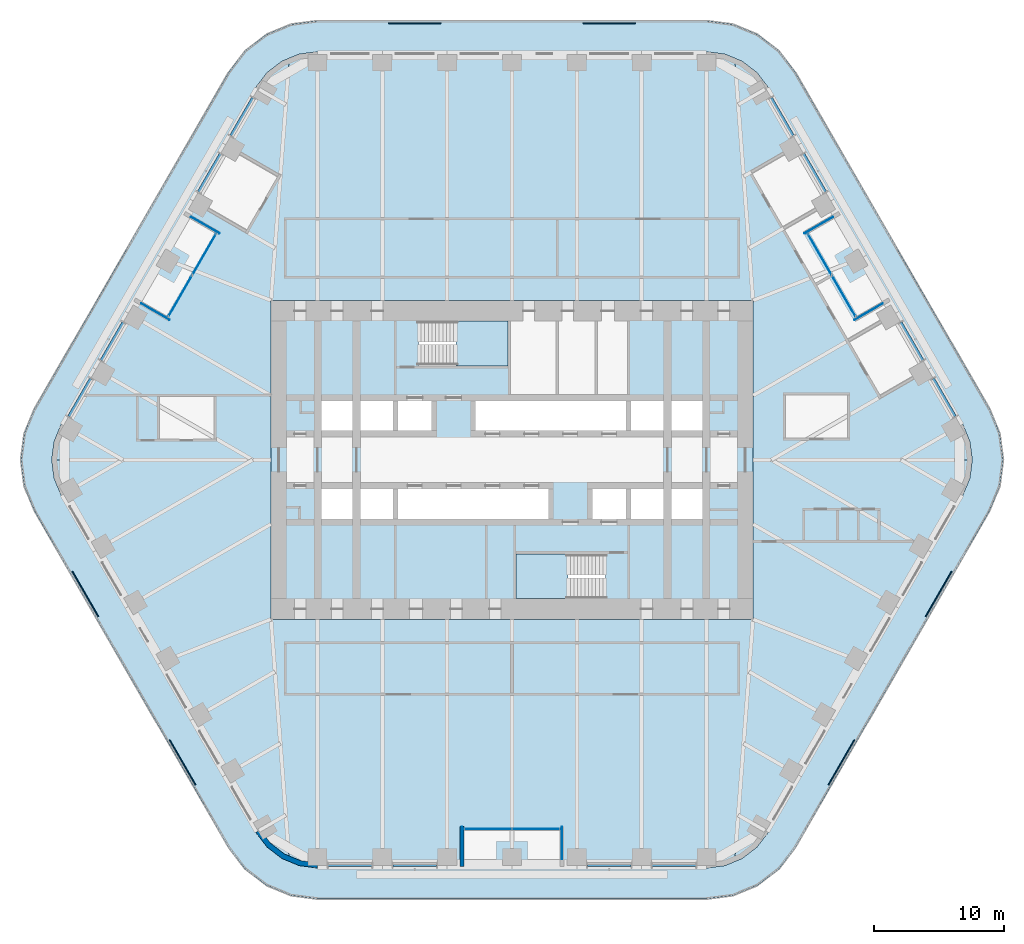
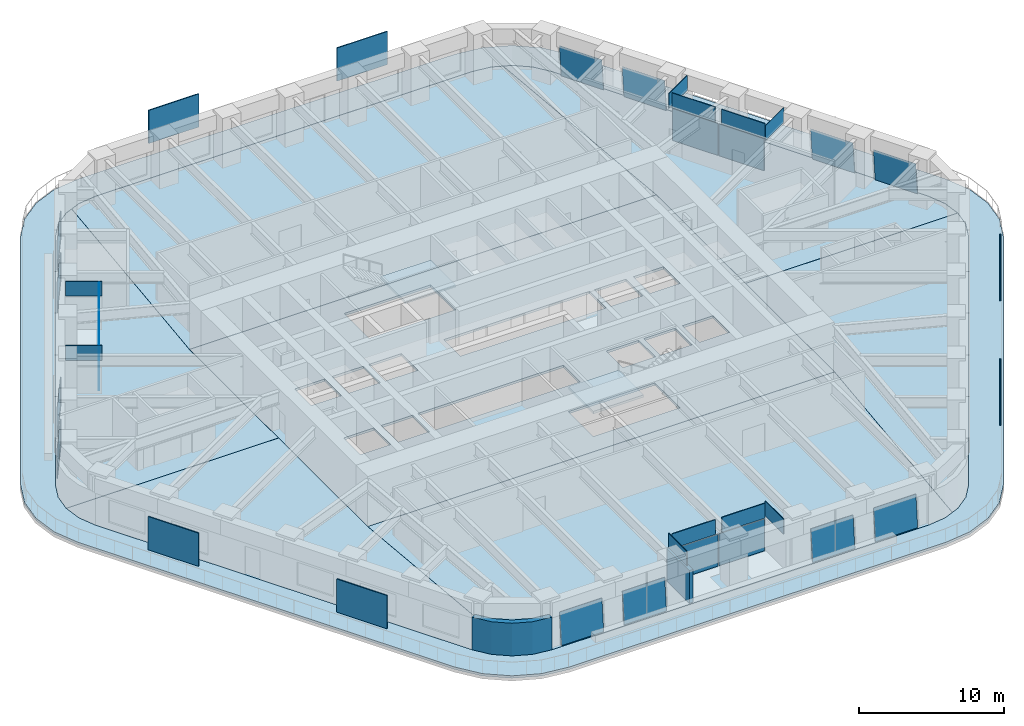
# One storey, part 16 of 24: 36 plates, 10 slabs, 2 walls, 17 elements without a shape of their own.
"""IFC4 building model written with IfcOpenShell, lengths in metres."""

import ifcopenshell
import ifcopenshell.guid

model = None  # the IFC model being written
_history = None  # IfcOwnerHistory: only IFC2X3 demands one
_inside = {}  # id of a spatial element -> (the spatial element, [elements in it])
_under = {}  # id of a project, library or spatial element -> (it, [spatial elements below it])
_declared = {}  # id of a project -> (the project, [libraries it declares])
_typed = {}  # id of a type object -> (the type object, [elements of that type])
_made_of = {}  # id of a material, layer set ... -> (it, [elements and type objects made of it])


def new_model(schema):
    """Start an empty IFC model of exactly this schema.

    Asked for "IFC4X3", IfcOpenShell would pick the latest addendum, in which some entities
    have other attributes; the version numbers below select the first issue.
    IFC2X3 requires an IfcOwnerHistory on every rooted entity: one is made here for all.
    """
    global model, _history
    if schema == "IFC4X3":
        model = ifcopenshell.file(schema_version=(4, 3, 0, 0))
    else:
        model = ifcopenshell.file(schema=schema)
    _inside.clear()
    _under.clear()
    _declared.clear()
    _typed.clear()
    _made_of.clear()
    _history = None
    if model.schema == "IFC2X3":
        org = make("IfcOrganization", Name="unknown")
        user = make(
            "IfcPersonAndOrganization",
            ThePerson=make("IfcPerson", FamilyName="unknown"),
            TheOrganization=org,
        )
        app = make(
            "IfcApplication",
            ApplicationDeveloper=org,
            Version="unknown",
            ApplicationFullName="unknown",
            ApplicationIdentifier="unknown",
        )
        _history = make(
            "IfcOwnerHistory",
            OwningUser=user,
            OwningApplication=app,
            ChangeAction="ADDED",
            CreationDate=0,
        )
    return model


def make(cls, **values):
    """One entity of the class cls with the attributes given. An attribute that is None is left unset."""
    return model.create_entity(
        cls, **{name: value for name, value in values.items() if value is not None}
    )


def rooted(cls, **values):
    """An entity with a GlobalId (a new one), such as an element, a storey or a relation."""
    return make(cls, GlobalId=ifcopenshell.guid.new(), OwnerHistory=_history, **values)


def si_unit(unit_type, name, prefix=None):
    """IfcSIUnit, for example si_unit("LENGTHUNIT", "METRE", prefix="MILLI")."""
    return make("IfcSIUnit", UnitType=unit_type, Prefix=prefix, Name=name)


def assignment(units):
    """IfcUnitAssignment: the units of a project."""
    return None if units is None else make("IfcUnitAssignment", Units=units)


def point(xyz):
    """IfcCartesianPoint."""
    return None if xyz is None else make("IfcCartesianPoint", Coordinates=xyz)


def direction(xyz):
    """IfcDirection."""
    return None if xyz is None else make("IfcDirection", DirectionRatios=xyz)


def frame(location, z_axis=None, x_axis=None):
    """IfcAxis2Placement3D, a coordinate frame: its origin and axes. An axis left out is left unset."""
    return make(
        "IfcAxis2Placement3D",
        Location=point(location),
        Axis=direction(z_axis),
        RefDirection=direction(x_axis),
    )


def frame_2d(location, x_axis=None):
    """IfcAxis2Placement2D, a coordinate frame in the plane: its origin and x axis."""
    return make(
        "IfcAxis2Placement2D", Location=point(location), RefDirection=direction(x_axis)
    )


def origin():
    """The frame at (0, 0, 0) with its axes left unset."""
    return frame((0.0, 0.0, 0.0))


def origin_2d():
    """The frame at (0, 0) in the plane with its x axis left unset."""
    return frame_2d((0.0, 0.0))


def place(relative_to, where):
    """IfcLocalPlacement: puts the frame where relative to a parent placement (None: the world)."""
    return make(
        "IfcLocalPlacement", PlacementRelTo=relative_to, RelativePlacement=where
    )


def context(
    kind, dimensions, precision=None, world=None, true_north=None, identifier=None
):
    """IfcGeometricRepresentationContext, for example the 3D "Model" context."""
    return make(
        "IfcGeometricRepresentationContext",
        ContextIdentifier=identifier,
        ContextType=kind,
        CoordinateSpaceDimension=dimensions,
        Precision=precision,
        WorldCoordinateSystem=world,
        TrueNorth=true_north,
    )


def subcontext(parent, identifier, kind, view, scale=None):
    """IfcGeometricRepresentationSubContext, for example "Body" below "Model"."""
    return make(
        "IfcGeometricRepresentationSubContext",
        ContextIdentifier=identifier,
        ContextType=kind,
        ParentContext=parent,
        TargetScale=scale,
        TargetView=view,
    )


def project(units=None, contexts=None):
    """IfcProject with its units and contexts."""
    return rooted(
        "IfcProject",
        Name="project",
        RepresentationContexts=contexts,
        UnitsInContext=assignment(units),
    )


def spatial(cls, under=None, at=None, **own):
    """A site, building, storey or space (cls), placed at a placement, below another one or the project."""
    s = rooted(cls, ObjectPlacement=at, **own)
    if under is not None:
        _under.setdefault(under.id(), (under, []))[1].append(s)
    return s


def polyline(points):
    """IfcPolyline through the points."""
    return make("IfcPolyline", Points=[point(p) for p in points])


def profile(cls, at=None, kind="AREA", **sizes):
    """A parametric profile (cls). Its sizes go by their IFC names, for example OverallWidth=200.0."""
    return make(cls, ProfileType=kind, Position=at, **sizes)


def rectangle(**sizes):
    """IfcRectangleProfileDef."""
    return profile("IfcRectangleProfileDef", **sizes)


def outline(outer, holes=None, kind="AREA"):
    """IfcArbitraryClosedProfileDef: a profile drawn as a closed curve; with holes, ...WithVoids."""
    if holes is None:
        return make("IfcArbitraryClosedProfileDef", ProfileType=kind, OuterCurve=outer)
    return make(
        "IfcArbitraryProfileDefWithVoids",
        ProfileType=kind,
        OuterCurve=outer,
        InnerCurves=holes,
    )


def extrude(swept, where, along, depth):
    """IfcExtrudedAreaSolid: the profile swept, set in the frame where, extruded along a direction by depth."""
    return make(
        "IfcExtrudedAreaSolid",
        SweptArea=swept,
        Position=where,
        ExtrudedDirection=direction(along),
        Depth=depth,
    )


def shape(context_of_items, identifier, shape_type, items):
    """IfcShapeRepresentation: the items that make up one representation, for example the "Body"."""
    return make(
        "IfcShapeRepresentation",
        ContextOfItems=context_of_items,
        RepresentationIdentifier=identifier,
        RepresentationType=shape_type,
        Items=items,
    )


def material(Name=None, Category=None):
    """IfcMaterial."""
    return make("IfcMaterial", Name=Name, Category=Category)


def layer(
    of_material, thickness, ventilated=None, Name=None, Category=None, Priority=None
):
    """IfcMaterialLayer: one layer of a wall or slab, of a material (None: an air gap)."""
    return make(
        "IfcMaterialLayer",
        Material=of_material,
        LayerThickness=thickness,
        IsVentilated=ventilated,
        Name=Name,
        Category=Category,
        Priority=Priority,
    )


def layer_set(layers, Name=None):
    """IfcMaterialLayerSet."""
    return make("IfcMaterialLayerSet", MaterialLayers=layers, LayerSetName=Name)


def made_of(thing, what):
    """Note that an element or type object is made of a material, layer set ...; save() writes the relation."""
    if what is not None:
        _made_of.setdefault(what.id(), (what, []))[1].append(thing)
    return thing


def type_object(cls, material=None, **own):
    """A type object (cls), such as IfcWallType, which elements share."""
    return made_of(rooted(cls, **own), material)


def element(
    cls,
    number,
    at=None,
    inside=None,
    cuts=None,
    type_object=None,
    material=None,
    context=None,
    identifier="Body",
    shape_type=None,
    held_by="IfcProductDefinitionShape",
    body=None,
    shapes=None,
    **own,
):
    """One element of the class cls, such as IfcWall. Its Tag is "e" and its number.

    at: its placement. inside: the storey or other place that contains it. cuts: it is an
    opening in that element (IfcRelVoidsElement). A single representation is given by context,
    identifier, shape_type and body (its items); several are given by shapes. held_by: the class
    of the entity that holds the representations. save() writes the other relations.
    """
    e = rooted(cls, Tag="e%d" % number, ObjectPlacement=at, **own)
    if body is not None:
        shapes = [shape(context, identifier, shape_type, body)]
    if shapes is not None:
        e.Representation = make(held_by, Representations=shapes)
    if inside is not None:
        _inside.setdefault(inside.id(), (inside, []))[1].append(e)
    if cuts is not None:
        rooted(
            "IfcRelVoidsElement", RelatingBuildingElement=cuts, RelatedOpeningElement=e
        )
    if type_object is not None:
        _typed.setdefault(type_object.id(), (type_object, []))[1].append(e)
    return made_of(e, material)


def aggregate(whole, parts):
    """IfcRelAggregates: a whole, such as a stair, and the parts it consists of."""
    return rooted("IfcRelAggregates", RelatingObject=whole, RelatedObjects=parts)


def save(model, path):
    """Write the relations noted so far, then the file.

    IfcRelAggregates (storeys below a building ...), IfcRelContainedInSpatialStructure (elements
    in a storey), IfcRelDefinesByType, IfcRelAssociatesMaterial and IfcRelDeclares: one each for
    every whole, place, type object, material and project.
    """
    for whole, parts in _under.values():
        aggregate(whole, parts)
    for where, things in _inside.values():
        rooted(
            "IfcRelContainedInSpatialStructure",
            RelatedElements=things,
            RelatingStructure=where,
        )
    for kind, things in _typed.values():
        rooted("IfcRelDefinesByType", RelatedObjects=things, RelatingType=kind)
    for what, things in _made_of.values():
        rooted("IfcRelAssociatesMaterial", RelatedObjects=things, RelatingMaterial=what)
    for by, libraries in _declared.values():
        rooted("IfcRelDeclares", RelatingContext=by, RelatedDefinitions=libraries)
    model.write(path)


model = new_model("IFC4")

# Units and contexts
model_context = context("Model", 3, precision=1e-05, world=origin(), true_north=direction((0.0, 1.0)))
body_context = subcontext(model_context, "Body", "Model", "MODEL_VIEW")
ifc_project = project(units=[si_unit("LENGTHUNIT", "METRE"), si_unit("AREAUNIT", "SQUARE_METRE"), si_unit("VOLUMEUNIT", "CUBIC_METRE"), si_unit("PLANEANGLEUNIT", "RADIAN"), si_unit("MASSUNIT", "GRAM", prefix="KILO")], contexts=[model_context])

# Site, building, storey
site_placement = place(None, origin())
site = spatial("IfcSite", under=ifc_project, at=site_placement, CompositionType="ELEMENT")
building_placement = place(site_placement, origin())
building = spatial("IfcBuilding", under=site, at=building_placement, Name="Tarfa Lantern Tower", CompositionType="ELEMENT")
storey_placement = place(building_placement, frame((0.0, 0.0, 195.10009765625)))
storey = spatial("IfcBuildingStorey", under=building, at=storey_placement, Name="L44", CompositionType="ELEMENT", Elevation=195.10009765625)

# Slab
ifc_material_1 = material(Name="Concrete C40/50", Category="concrete")
ifc_layer_1 = layer(ifc_material_1, 0.199951171875)
ifc_layer_set_1 = layer_set([ifc_layer_1], Name="BS2 BALCONY SLAB 200")
slab_type_1 = type_object("IfcSlabType", Name="BS2 BALCONY SLAB 200", PredefinedType="FLOOR", material=ifc_layer_set_1)
slab_1_placement = place(storey_placement, frame((0.0, 0.0, -0.2001953125)))
element("IfcSlab", 1, at=slab_1_placement, inside=storey, type_object=slab_type_1, Name="Balcony L44", PredefinedType="FLOOR", context=body_context, shape_type="SweptSolid", body=[
    extrude(outline(polyline([(36.86376953125, 3.949951171875), (21.852783203125, 29.949951171875), (20.59716796875, 31.586181640625), (18.961181640625, 32.841552734375), (17.0556640625, 33.630859375), (15.010986328125, 33.89990234375), (-15.010986328125, 33.89990234375), (-17.0556640625, 33.630859375), (-18.961181640625, 32.841552734375), (-20.59716796875, 31.586181640625), (-21.852783203125, 29.949951171875), (-36.86376953125, 3.949951171875), (-37.653076171875, 2.044677734375), (-37.922119140625, 0.0), (-37.653076171875, -2.044677734375), (-36.86376953125, -3.949951171875), (-21.852783203125, -29.949951171875), (-20.59716796875, -31.586181640625), (-18.961181640625, -32.841552734375), (-17.0556640625, -33.630859375), (-15.010986328125, -33.89990234375), (15.010986328125, -33.89990234375), (17.0556640625, -33.630859375), (18.961181640625, -32.841552734375), (20.59716796875, -31.586181640625), (21.852783203125, -29.949951171875), (36.86376953125, -3.949951171875), (37.653076171875, -2.044677734375), (37.922119140625, 0.0), (37.653076171875, 2.044677734375), (36.86376953125, 3.949951171875)]), holes=[polyline([(34.785400390625, 2.75), (19.774169921875, 28.75), (18.900146484375, 29.88916015625), (17.760986328125, 30.76318359375), (16.4345703125, 31.3125), (15.010986328125, 31.5), (-15.010986328125, 31.5), (-16.4345703125, 31.3125), (-17.760986328125, 30.76318359375), (-18.900146484375, 29.88916015625), (-19.774169921875, 28.75), (-34.785400390625, 2.75), (-35.334716796875, 1.423583984375), (-35.522216796875, 0.0), (-35.334716796875, -1.423583984375), (-34.785400390625, -2.75), (-19.774169921875, -28.75), (-18.900146484375, -29.88916015625), (-17.760986328125, -30.76318359375), (-16.4345703125, -31.3125), (-15.010986328125, -31.5), (15.010986328125, -31.5), (16.4345703125, -31.3125), (17.760986328125, -30.76318359375), (18.900146484375, -29.88916015625), (19.774169921875, -28.75), (34.785400390625, -2.75), (35.334716796875, -1.423583984375), (35.522216796875, 0.0), (35.334716796875, 1.423583984375), (34.785400390625, 2.75)])]), origin(), (0.0, 0.0, 1.0), 0.2001953125),
])

# Curtain wall, plate
ifc_material_2 = material(Name="Aluminium framed curtain wall", Category="aluminium")
curtain_wall_type_1 = type_object("IfcCurtainWallType", Name="CW2 CANTED GLAZING MID ZONE 2750", PredefinedType="USERDEFINED", material=ifc_material_2)
curtain_wall_1_placement = place(storey_placement, origin())
curtain_wall_1 = element("IfcCurtainWall", 2, at=curtain_wall_1_placement, inside=storey, type_object=curtain_wall_type_1, Name="CW2 NE L44", ObjectType="CURTAIN WALL", PredefinedType="USERDEFINED")
ifc_material_3 = material(Name="Laminated double glazing", Category="glass")
ifc_layer_2 = layer(ifc_material_3, 0.028076171875)
ifc_layer_set_2 = layer_set([ifc_layer_2], Name="CWP1 DOUBLE GLAZED PANEL")
plate_type_1 = type_object("IfcPlateType", Name="CWP1 DOUBLE GLAZED PANEL", PredefinedType="CURTAIN_PANEL", material=ifc_layer_set_2)
plate_1_placement = place(storey_placement, frame((34.291259765625, 3.40576171875, 0.0), z_axis=(0.862489760555, 0.497906229585, 0.090558265657), x_axis=(-0.499960487749, 0.866048214992, 0.0)))
plate_1 = element("IfcPlate", 3, at=plate_1_placement, type_object=plate_type_1, Name="CW2 panel 1.1", PredefinedType="CURTAIN_PANEL", context=body_context, shape_type="SweptSolid", body=[
    extrude(outline(polyline([(0.0, 0.0), (3.373801769256558, -2.7755575615628914e-17), (3.373787529728875, 2.6958914424874663), (-1.423952768260555e-05, 2.6958914424874663), (0.0, 0.0)])), origin(), (0.0, 0.0, -1.0), 0.028076171875),
])
aggregate(curtain_wall_1, [plate_1])

curtain_wall_2_placement = place(storey_placement, origin())
curtain_wall_2 = element("IfcCurtainWall", 4, at=curtain_wall_2_placement, inside=storey, type_object=curtain_wall_type_1, Name="CW2 NE L44", ObjectType="CURTAIN WALL", PredefinedType="USERDEFINED")
plate_2_placement = place(storey_placement, frame((31.789306640625, 7.7392578125, 0.0), z_axis=(0.862459203357, 0.497966229264, 0.090519373933), x_axis=(-0.500018737387, 0.866014585474, -2.824866e-06)))
plate_2 = element("IfcPlate", 5, at=plate_2_placement, type_object=plate_type_1, Name="CW2 panel 1.1", PredefinedType="CURTAIN_PANEL", context=body_context, shape_type="SweptSolid", body=[
    extrude(outline(polyline([(0.0, 0.0), (3.373590332269459, -2.7755575615628914e-17), (3.3735849291423787, 2.6958914404639334), (-0.00012747801413796582, 2.695872301668821), (0.0, 0.0)])), origin(), (0.0, 0.0, -1.0), 0.028076171875),
])
aggregate(curtain_wall_2, [plate_2])

curtain_wall_3_placement = place(storey_placement, origin())
curtain_wall_3 = element("IfcCurtainWall", 6, at=curtain_wall_3_placement, inside=storey, type_object=curtain_wall_type_1, Name="CW2 NEB L44", ObjectType="CURTAIN WALL", PredefinedType="USERDEFINED")
plate_3_placement = place(storey_placement, frame((24.283935546875, 20.7392578125, 0.0), z_axis=(0.862440537308, 0.497991485986, 0.090558265736), x_axis=(-0.500046095904, 0.865998788666, 0.0)))
plate_3 = element("IfcPlate", 7, at=plate_3_placement, type_object=plate_type_1, Name="CW2 panel 1.1", PredefinedType="CURTAIN_PANEL", context=body_context, shape_type="SweptSolid", body=[
    extrude(outline(polyline([(0.0, 0.0), (3.373712408853507, 0.0), (3.373722302583923, 2.6958914425069174), (9.893730415961136e-06, 2.6958914425069174), (0.0, 0.0)])), origin(), (0.0, 0.0, -1.0), 0.028076171875),
])
aggregate(curtain_wall_3, [plate_3])

curtain_wall_4_placement = place(storey_placement, origin())
curtain_wall_4 = element("IfcCurtainWall", 8, at=curtain_wall_4_placement, inside=storey, type_object=curtain_wall_type_1, Name="CW2 NEB L44", ObjectType="CURTAIN WALL", PredefinedType="USERDEFINED")
plate_4_placement = place(storey_placement, frame((21.781982421875, 25.072509765625, 0.0), z_axis=(0.862471745117, 0.497937435198, 0.090558265788), x_axis=(-0.499991822116, 0.866030125237, 0.0)))
plate_4 = element("IfcPlate", 9, at=plate_4_placement, type_object=plate_type_1, Name="CW2 panel 1.1", PredefinedType="CURTAIN_PANEL", context=body_context, shape_type="SweptSolid", body=[
    extrude(outline(polyline([(0.0, 0.0), (3.3735903339122224, 0.0), (3.3735849274996186, 2.695891442519651), (-5.406412603783939e-06, 2.695891442519651), (0.0, 0.0)])), origin(), (0.0, 0.0, -1.0), 0.028076171875),
])
aggregate(curtain_wall_4, [plate_4])

# Curtain wall, plates
curtain_wall_type_2 = type_object("IfcCurtainWallType", Name="CW10 LOGGIA GLAZING 2750", PredefinedType="USERDEFINED", material=ifc_material_2)
curtain_wall_5_placement = place(storey_placement, origin())
curtain_wall_5 = element("IfcCurtainWall", 10, at=curtain_wall_5_placement, inside=storey, type_object=curtain_wall_type_2, Name="CW10 NEL L44", ObjectType="CURTAIN WALL", PredefinedType="USERDEFINED")
plate_5_placement = place(storey_placement, frame((25.599609375, 12.660400390625, -0.000244140625), z_axis=(0.0, 0.0, 1.0), x_axis=(-0.5, 0.866025403784, 0.0)))
plate_5 = element("IfcPlate", 11, at=plate_5_placement, type_object=plate_type_1, Name="CW10 panel 1.1", PredefinedType="CURTAIN_PANEL", context=body_context, shape_type="SweptSolid", body=[
    extrude(rectangle(XDim=3.606201171875, YDim=0.028076171875, at=origin_2d()), origin(), (0.0, 0.0, 1.0), 2.68505859375),
])
plate_6_placement = place(storey_placement, frame((23.763916015625, 15.839599609375, -0.000244140625), z_axis=(0.0, 0.0, 1.0), x_axis=(-0.5, 0.866025403784, 0.0)))
plate_6 = element("IfcPlate", 12, at=plate_6_placement, type_object=plate_type_1, Name="CW10 panel 2.1", PredefinedType="CURTAIN_PANEL", context=body_context, shape_type="SweptSolid", body=[
    extrude(rectangle(XDim=3.606201171875, YDim=0.028076171875, at=origin_2d()), origin(), (0.0, 0.0, 1.0), 2.68505859375),
])
aggregate(curtain_wall_5, [plate_5, plate_6])

# Curtain wall, plate
curtain_wall_6_placement = place(storey_placement, origin())
curtain_wall_6 = element("IfcCurtainWall", 13, at=curtain_wall_6_placement, inside=storey, type_object=curtain_wall_type_1, Name="CW2 NW L44", ObjectType="CURTAIN WALL", PredefinedType="USERDEFINED")
plate_7_placement = place(storey_placement, frame((-20.09521484375, 27.994140625, 0.0), z_axis=(-0.862471745117, 0.497937435198, 0.090558265788), x_axis=(-0.499991822116, -0.866030125237, 0.0)))
plate_7 = element("IfcPlate", 14, at=plate_7_placement, type_object=plate_type_1, Name="CW2 panel 1.1", PredefinedType="CURTAIN_PANEL", context=body_context, shape_type="SweptSolid", body=[
    extrude(outline(polyline([(0.0, 0.0), (3.3735903339122224, 0.0), (3.3735957403248262, 2.695891442519651), (5.406412603783939e-06, 2.695891442519651), (0.0, 0.0)])), origin(), (0.0, 0.0, -1.0), 0.028076171875),
])
aggregate(curtain_wall_6, [plate_7])

curtain_wall_7_placement = place(storey_placement, origin())
curtain_wall_7 = element("IfcCurtainWall", 15, at=curtain_wall_7_placement, inside=storey, type_object=curtain_wall_type_1, Name="CW2 NW L44", ObjectType="CURTAIN WALL", PredefinedType="USERDEFINED")
plate_8_placement = place(storey_placement, frame((-22.596923828125, 23.660888671875, 0.0), z_axis=(-0.862440537308, 0.497991485986, 0.090558265736), x_axis=(-0.500046095904, -0.865998788666, 0.0)))
plate_8 = element("IfcPlate", 16, at=plate_8_placement, type_object=plate_type_1, Name="CW2 panel 1.1", PredefinedType="CURTAIN_PANEL", context=body_context, shape_type="SweptSolid", body=[
    extrude(outline(polyline([(0.0, 0.0), (3.373712408853507, 0.0), (3.3737025151230906, 2.6958914425069174), (-9.893730415961136e-06, 2.6958914425069174), (0.0, 0.0)])), origin(), (0.0, 0.0, -1.0), 0.028076171875),
])
aggregate(curtain_wall_7, [plate_8])

curtain_wall_8_placement = place(storey_placement, origin())
curtain_wall_8 = element("IfcCurtainWall", 17, at=curtain_wall_8_placement, inside=storey, type_object=curtain_wall_type_1, Name="CW2 NWB L44", ObjectType="CURTAIN WALL", PredefinedType="USERDEFINED")
plate_9_placement = place(storey_placement, frame((-30.1025390625, 10.660888671875, 0.0), z_axis=(-0.862459203357, 0.497966229264, 0.090519373933), x_axis=(-0.500018737387, -0.866014585474, 2.824866e-06)))
plate_9 = element("IfcPlate", 18, at=plate_9_placement, type_object=plate_type_1, Name="CW2 panel 1.1", PredefinedType="CURTAIN_PANEL", context=body_context, shape_type="SweptSolid", body=[
    extrude(outline(polyline([(0.0, 0.0), (3.373590332269459, 2.7755575615628914e-17), (3.373717810283597, 2.695872301668821), (5.403127080552391e-06, 2.695891440463934), (0.0, 0.0)])), origin(), (0.0, 0.0, -1.0), 0.028076171875),
])
aggregate(curtain_wall_8, [plate_9])

curtain_wall_9_placement = place(storey_placement, origin())
curtain_wall_9 = element("IfcCurtainWall", 19, at=curtain_wall_9_placement, inside=storey, type_object=curtain_wall_type_1, Name="CW2 NWB L44", ObjectType="CURTAIN WALL", PredefinedType="USERDEFINED")
plate_10_placement = place(storey_placement, frame((-32.6044921875, 6.32763671875, 0.0), z_axis=(-0.862489760555, 0.497906229585, 0.090558265657), x_axis=(-0.499960487749, -0.866048214992, 0.0)))
plate_10 = element("IfcPlate", 20, at=plate_10_placement, type_object=plate_type_1, Name="CW2 panel 1.1", PredefinedType="CURTAIN_PANEL", context=body_context, shape_type="SweptSolid", body=[
    extrude(outline(polyline([(0.0, 0.0), (3.373801769256558, 2.7755575615628914e-17), (3.37381600878424, 2.6958914424874663), (1.423952768260555e-05, 2.6958914424874663), (0.0, 0.0)])), origin(), (0.0, 0.0, -1.0), 0.028076171875),
])
aggregate(curtain_wall_9, [plate_10])

# Curtain wall, plates
curtain_wall_10_placement = place(storey_placement, origin())
curtain_wall_10 = element("IfcCurtainWall", 21, at=curtain_wall_10_placement, inside=storey, type_object=curtain_wall_type_2, Name="CW10 NWL L44", ObjectType="CURTAIN WALL", PredefinedType="USERDEFINED")
plate_11_placement = place(storey_placement, frame((-23.763916015625, 15.839599609375, -0.000244140625), z_axis=(0.0, 0.0, 1.0), x_axis=(-0.5, -0.866025403784, 0.0)))
plate_11 = element("IfcPlate", 22, at=plate_11_placement, type_object=plate_type_1, Name="CW10 panel 1.1", PredefinedType="CURTAIN_PANEL", context=body_context, shape_type="SweptSolid", body=[
    extrude(rectangle(XDim=3.606201171875, YDim=0.028076171875, at=origin_2d()), origin(), (0.0, 0.0, 1.0), 2.68505859375),
])
plate_12_placement = place(storey_placement, frame((-25.599609375, 12.660400390625, -0.000244140625), z_axis=(0.0, 0.0, 1.0), x_axis=(-0.5, -0.866025403784, 0.0)))
plate_12 = element("IfcPlate", 23, at=plate_12_placement, type_object=plate_type_1, Name="CW10 panel 2.1", PredefinedType="CURTAIN_PANEL", context=body_context, shape_type="SweptSolid", body=[
    extrude(rectangle(XDim=3.606201171875, YDim=0.028076171875, at=origin_2d()), origin(), (0.0, 0.0, 1.0), 2.68505859375),
])
aggregate(curtain_wall_10, [plate_11, plate_12])

# Curtain wall, plate
curtain_wall_11_placement = place(storey_placement, origin())
curtain_wall_11 = element("IfcCurtainWall", 24, at=curtain_wall_11_placement, inside=storey, type_object=curtain_wall_type_1, Name="CW2 S L44", ObjectType="CURTAIN WALL", PredefinedType="USERDEFINED")
plate_13_placement = place(storey_placement, frame((-14.196044921875, -31.39990234375, 0.0), z_axis=(0.0, -0.995899142751, 0.090470423171), x_axis=(1.0, 0.0, 0.0)))
plate_13 = element("IfcPlate", 25, at=plate_13_placement, type_object=plate_type_1, Name="CW2 panel 1.1", PredefinedType="CURTAIN_PANEL", context=body_context, shape_type="SweptSolid", body=[
    extrude(outline(polyline([(0.0, 0.0), (3.37353515625, 0.0), (3.37353515625, 2.6958698304627724), (0.0, 2.6958698304627724), (0.0, 0.0)])), origin(), (0.0, 0.0, -1.0), 0.028076171875),
])
aggregate(curtain_wall_11, [plate_13])

curtain_wall_12_placement = place(storey_placement, origin())
curtain_wall_12 = element("IfcCurtainWall", 26, at=curtain_wall_12_placement, inside=storey, type_object=curtain_wall_type_1, Name="CW2 S L44", ObjectType="CURTAIN WALL", PredefinedType="USERDEFINED")
plate_14_placement = place(storey_placement, frame((-9.1923828125, -31.39990234375, 0.0), z_axis=(0.0, -0.995899142751, 0.090470423171), x_axis=(1.0, 0.0, 0.0)))
plate_14 = element("IfcPlate", 27, at=plate_14_placement, type_object=plate_type_1, Name="CW2 panel 1.1", PredefinedType="CURTAIN_PANEL", context=body_context, shape_type="SweptSolid", body=[
    extrude(outline(polyline([(0.0, 0.0), (3.373779296875, 0.0), (3.373779296875, 2.695869830462773), (0.0, 2.695869830462773), (0.0, 0.0)])), origin(), (0.0, 0.0, -1.0), 0.028076171875),
])
aggregate(curtain_wall_12, [plate_14])

curtain_wall_13_placement = place(storey_placement, origin())
curtain_wall_13 = element("IfcCurtainWall", 28, at=curtain_wall_13_placement, inside=storey, type_object=curtain_wall_type_1, Name="CW2 SB L44", ObjectType="CURTAIN WALL", PredefinedType="USERDEFINED")
plate_15_placement = place(storey_placement, frame((5.818603515625, -31.39990234375, 0.0), z_axis=(0.0, -0.995899142751, 0.090470423171), x_axis=(1.0, 0.0, 0.0)))
plate_15 = element("IfcPlate", 29, at=plate_15_placement, type_object=plate_type_1, Name="CW2 panel 1.1", PredefinedType="CURTAIN_PANEL", context=body_context, shape_type="SweptSolid", body=[
    extrude(outline(polyline([(0.0, 0.0), (3.373779296875, 0.0), (3.373779296875, 2.695869830462773), (0.0, 2.695869830462773), (0.0, 0.0)])), origin(), (0.0, 0.0, -1.0), 0.028076171875),
])
aggregate(curtain_wall_13, [plate_15])

curtain_wall_14_placement = place(storey_placement, origin())
curtain_wall_14 = element("IfcCurtainWall", 30, at=curtain_wall_14_placement, inside=storey, type_object=curtain_wall_type_1, Name="CW2 SB L44", ObjectType="CURTAIN WALL", PredefinedType="USERDEFINED")
plate_16_placement = place(storey_placement, frame((10.822509765625, -31.39990234375, 0.0), z_axis=(0.0, -0.995899142751, 0.090470423171), x_axis=(1.0, 0.0, 0.0)))
plate_16 = element("IfcPlate", 31, at=plate_16_placement, type_object=plate_type_1, Name="CW2 panel 1.1", PredefinedType="CURTAIN_PANEL", context=body_context, shape_type="SweptSolid", body=[
    extrude(outline(polyline([(0.0, 0.0), (3.37353515625, 0.0), (3.37353515625, 2.6958698304627724), (0.0, 2.6958698304627724), (0.0, 0.0)])), origin(), (0.0, 0.0, -1.0), 0.028076171875),
])
aggregate(curtain_wall_14, [plate_16])

# Curtain wall, plates
curtain_wall_15_placement = place(storey_placement, origin())
curtain_wall_15 = element("IfcCurtainWall", 32, at=curtain_wall_15_placement, inside=storey, type_object=curtain_wall_type_2, Name="CW10 SL L44", ObjectType="CURTAIN WALL", PredefinedType="USERDEFINED")
plate_17_placement = place(storey_placement, frame((-1.835693359375, -28.5, -0.000244140625), z_axis=(0.0, 0.0, 1.0), x_axis=(1.0, 0.0, 0.0)))
plate_17 = element("IfcPlate", 33, at=plate_17_placement, type_object=plate_type_1, Name="CW10 panel 1.1", PredefinedType="CURTAIN_PANEL", context=body_context, shape_type="SweptSolid", body=[
    extrude(rectangle(XDim=3.606201171875, YDim=0.028076171875, at=origin_2d()), origin(), (0.0, 0.0, 1.0), 2.68505859375),
])
plate_18_placement = place(storey_placement, frame((1.835693359375, -28.5, -0.000244140625), z_axis=(0.0, 0.0, 1.0), x_axis=(1.0, 0.0, 0.0)))
plate_18 = element("IfcPlate", 34, at=plate_18_placement, type_object=plate_type_1, Name="CW10 panel 2.1", PredefinedType="CURTAIN_PANEL", context=body_context, shape_type="SweptSolid", body=[
    extrude(rectangle(XDim=3.606201171875, YDim=0.028076171875, at=origin_2d()), origin(), (0.0, 0.0, 1.0), 2.68505859375),
])
aggregate(curtain_wall_15, [plate_17, plate_18])

# Slabs
ifc_layer_3 = layer(ifc_material_1, 0.199951171875)
ifc_layer_set_3 = layer_set([ifc_layer_3], Name="FS1 FLOOR SLAB 200")
slab_type_2 = type_object("IfcSlabType", Name="FS1 FLOOR SLAB 200", PredefinedType="FLOOR", material=ifc_layer_set_3)
slab_2_placement = place(storey_placement, frame((0.0, 0.0, -0.2001953125)))
element("IfcSlab", 35, at=slab_2_placement, inside=storey, type_object=slab_type_2, Name="Floor slab L44", PredefinedType="FLOOR", context=body_context, shape_type="SweptSolid", body=[
    extrude(outline(polyline([(-18.60009765625, -12.300048828125), (18.60009765625, -12.300048828125), (18.60009765625, 12.300048828125), (-18.60009765625, 12.300048828125), (-18.60009765625, -12.300048828125)]), holes=[polyline([(-14.699951171875, 2.25), (-12.300048828125, 2.25), (-12.300048828125, 4.550048828125), (-14.699951171875, 4.550048828125), (-14.699951171875, 2.25)]), polyline([(-11.699951171875, 2.25), (-9.199951171875, 2.25), (-9.199951171875, 4.550048828125), (-11.699951171875, 4.550048828125), (-11.699951171875, 2.25)]), polyline([(-8.800048828125, 2.25), (-6.199951171875, 2.25), (-6.199951171875, 4.550048828125), (-8.800048828125, 4.550048828125), (-8.800048828125, 2.25)]), polyline([(-2.800048828125, 2.25), (8.800048828125, 2.25), (8.800048828125, 4.550048828125), (-2.800048828125, 4.550048828125), (-2.800048828125, 2.25)]), polyline([(9.199951171875, 2.25), (11.699951171875, 2.25), (11.699951171875, 4.550048828125), (9.199951171875, 4.550048828125), (9.199951171875, 2.25)]), polyline([(12.300048828125, 2.25), (14.699951171875, 2.25), (14.699951171875, 4.550048828125), (12.300048828125, 4.550048828125), (12.300048828125, 2.25)]), polyline([(14.699951171875, -2.25), (12.300048828125, -2.25), (12.300048828125, -4.550048828125), (14.699951171875, -4.550048828125), (14.699951171875, -2.25)]), polyline([(11.699951171875, -2.25), (9.199951171875, -2.25), (9.199951171875, -4.550048828125), (11.699951171875, -4.550048828125), (11.699951171875, -2.25)]), polyline([(8.800048828125, -2.25), (6.199951171875, -2.25), (6.199951171875, -4.550048828125), (8.800048828125, -4.550048828125), (8.800048828125, -2.25)]), polyline([(2.800048828125, -2.25), (-8.800048828125, -2.25), (-8.800048828125, -4.550048828125), (2.800048828125, -4.550048828125), (2.800048828125, -2.25)]), polyline([(-9.199951171875, -2.25), (-11.699951171875, -2.25), (-11.699951171875, -4.550048828125), (-9.199951171875, -4.550048828125), (-9.199951171875, -2.25)]), polyline([(-12.300048828125, -2.25), (-14.699951171875, -2.25), (-14.699951171875, -4.550048828125), (-12.300048828125, -4.550048828125), (-12.300048828125, -2.25)]), polyline([(-7.199951171875, 7.25), (-0.300048828125, 7.25), (-0.300048828125, 10.699951171875), (-7.199951171875, 10.699951171875), (-7.199951171875, 7.25)]), polyline([(7.199951171875, -7.25), (0.300048828125, -7.25), (0.300048828125, -10.699951171875), (7.199951171875, -10.699951171875), (7.199951171875, -7.25)])]), origin(), (0.0, 0.0, 1.0), 0.2001953125),
])
slab_3_placement = place(storey_placement, frame((0.0, 0.0, -0.2001953125)))
element("IfcSlab", 36, at=slab_3_placement, inside=storey, type_object=slab_type_2, Name="Floor slab L44 NE bay", PredefinedType="FLOOR", context=body_context, shape_type="SweptSolid", body=[
    extrude(outline(polyline([(34.783447265625, 2.7490234375), (19.7724609375, 28.748779296875), (18.898681640625, 29.8876953125), (17.760009765625, 30.761474609375), (17.19189453125, 30.996826171875), (18.60205078125, 12.300048828125), (18.60205078125, 0.001953125), (35.52001953125, 0.001953125), (35.332763671875, 1.423095703125), (34.783447265625, 2.7490234375)])), origin(), (0.0, 0.0, 1.0), 0.2001953125),
])
slab_4_placement = place(storey_placement, frame((0.0, 0.0, -0.2001953125)))
element("IfcSlab", 37, at=slab_4_placement, inside=storey, type_object=slab_type_2, Name="Floor slab L44 N bay", PredefinedType="FLOOR", context=body_context, shape_type="SweptSolid", body=[
    extrude(outline(polyline([(-18.597900390625, 12.302001953125), (18.597900390625, 12.302001953125), (17.187744140625, 30.99853515625), (16.43408203125, 31.310546875), (15.010986328125, 31.498046875), (-15.010986328125, 31.498046875), (-16.43408203125, 31.310546875), (-17.187744140625, 30.99853515625), (-18.597900390625, 12.302001953125)])), origin(), (0.0, 0.0, 1.0), 0.2001953125),
])
slab_5_placement = place(storey_placement, frame((0.0, 0.0, -0.2001953125)))
element("IfcSlab", 38, at=slab_5_placement, inside=storey, type_object=slab_type_2, Name="Floor slab L44 NW bay", PredefinedType="FLOOR", context=body_context, shape_type="SweptSolid", body=[
    extrude(outline(polyline([(-18.60205078125, 0.001953125), (-18.60205078125, 12.300048828125), (-17.19189453125, 30.996826171875), (-17.760009765625, 30.761474609375), (-18.898681640625, 29.8876953125), (-19.7724609375, 28.748779296875), (-34.783447265625, 2.7490234375), (-35.332763671875, 1.423095703125), (-35.52001953125, 0.001953125), (-18.60205078125, 0.001953125)])), origin(), (0.0, 0.0, 1.0), 0.2001953125),
])
slab_6_placement = place(storey_placement, frame((0.0, 0.0, -0.2001953125)))
element("IfcSlab", 39, at=slab_6_placement, inside=storey, type_object=slab_type_2, Name="Floor slab L44 SW bay", PredefinedType="FLOOR", context=body_context, shape_type="SweptSolid", body=[
    extrude(outline(polyline([(-18.60205078125, -12.300048828125), (-18.60205078125, -0.001953125), (-35.52001953125, -0.001953125), (-35.332763671875, -1.423095703125), (-34.783447265625, -2.7490234375), (-19.7724609375, -28.748779296875), (-18.898681640625, -29.8876953125), (-17.760009765625, -30.761474609375), (-17.19189453125, -30.996826171875), (-18.60205078125, -12.300048828125)])), origin(), (0.0, 0.0, 1.0), 0.2001953125),
])
slab_7_placement = place(storey_placement, frame((0.0, 0.0, -0.2001953125)))
element("IfcSlab", 40, at=slab_7_placement, inside=storey, type_object=slab_type_2, Name="Floor slab L44 S bay", PredefinedType="FLOOR", context=body_context, shape_type="SweptSolid", body=[
    extrude(outline(polyline([(18.597900390625, -12.302001953125), (-18.597900390625, -12.302001953125), (-17.187744140625, -30.99853515625), (-16.43408203125, -31.310546875), (-15.010986328125, -31.498046875), (15.010986328125, -31.498046875), (16.43408203125, -31.310546875), (17.187744140625, -30.99853515625), (18.597900390625, -12.302001953125)])), origin(), (0.0, 0.0, 1.0), 0.2001953125),
])
slab_8_placement = place(storey_placement, frame((0.0, 0.0, -0.2001953125)))
element("IfcSlab", 41, at=slab_8_placement, inside=storey, type_object=slab_type_2, Name="Floor slab L44 SE bay", PredefinedType="FLOOR", context=body_context, shape_type="SweptSolid", body=[
    extrude(outline(polyline([(18.60205078125, -0.001953125), (18.60205078125, -12.300048828125), (17.19189453125, -30.996826171875), (17.760009765625, -30.761474609375), (18.898681640625, -29.8876953125), (19.7724609375, -28.748779296875), (34.783447265625, -2.7490234375), (35.332763671875, -1.423095703125), (35.52001953125, -0.001953125), (18.60205078125, -0.001953125)])), origin(), (0.0, 0.0, 1.0), 0.2001953125),
])

# Plates
ifc_material_4 = material(Name="Aluminium fascia panel", Category="aluminium")
ifc_layer_4 = layer(ifc_material_4, 0.050048828125)
ifc_layer_set_4 = layer_set([ifc_layer_4], Name="LF1 LOGGIA HEAD FASCIA 50")
plate_type_2 = type_object("IfcPlateType", Name="LF1 LOGGIA HEAD FASCIA 50", PredefinedType="USERDEFINED", material=ifc_layer_set_4)
for number, where, z_axis, x_axis, name in (
    (42, (25.670166015625, 12.5380859375, 2.75), (0.0, 0.0, 1.0), (-0.5, 0.866025403784, 0.0), "Loggia head fascia NE"),
    (43, (23.693359375, 15.9619140625, 2.75), (0.0, 0.0, 1.0), (-0.5, 0.866025403784, 0.0), "Loggia head fascia NE"),
):
    element("IfcPlate", number, at=place(storey_placement, frame(where, z_axis=z_axis, x_axis=x_axis)), inside=storey, type_object=plate_type_2, Name=name, ObjectType="FASCIA", PredefinedType="USERDEFINED", context=body_context, shape_type="SweptSolid", body=[
        extrude(rectangle(XDim=3.45361328125, YDim=0.050048828125, at=origin_2d()), origin(), (0.0, 0.0, 1.0), 1.25),
    ])
for number, where, z_axis, x_axis, name in (
    (44, (27.526611328125, 11.442626953125, 2.75), (0.0, 0.0, 1.0), (-0.866025403784, -0.5, 0.0), "Loggia head fascia NE"),
    (45, (23.6728515625, 18.117431640625, 2.75), (0.0, 0.0, 1.0), (-0.866025403784, -0.5, 0.0), "Loggia head fascia NE"),
):
    element("IfcPlate", number, at=place(storey_placement, frame(where, z_axis=z_axis, x_axis=x_axis)), inside=storey, type_object=plate_type_2, Name=name, ObjectType="FASCIA", PredefinedType="USERDEFINED", context=body_context, shape_type="SweptSolid", body=[
        extrude(rectangle(XDim=2.52001953125, YDim=0.050048828125, at=origin_2d()), origin(), (0.0, 0.0, 1.0), 1.25),
    ])
for number, where, z_axis, x_axis, name in (
    (46, (-23.693359375, 15.9619140625, 2.75), (0.0, 0.0, 1.0), (-0.5, -0.866025403784, 0.0), "Loggia head fascia NW"),
    (47, (-25.670166015625, 12.5380859375, 2.75), (0.0, 0.0, 1.0), (-0.5, -0.866025403784, 0.0), "Loggia head fascia NW"),
):
    element("IfcPlate", number, at=place(storey_placement, frame(where, z_axis=z_axis, x_axis=x_axis)), inside=storey, type_object=plate_type_2, Name=name, ObjectType="FASCIA", PredefinedType="USERDEFINED", context=body_context, shape_type="SweptSolid", body=[
        extrude(rectangle(XDim=3.45361328125, YDim=0.050048828125, at=origin_2d()), origin(), (0.0, 0.0, 1.0), 1.25),
    ])
for number, where, z_axis, x_axis, name in (
    (48, (-23.6728515625, 18.117431640625, 2.75), (0.0, 0.0, 1.0), (0.866025403784, -0.5, 0.0), "Loggia head fascia NW"),
    (49, (-27.526611328125, 11.442626953125, 2.75), (0.0, 0.0, 1.0), (0.866025403784, -0.5, 0.0), "Loggia head fascia NW"),
):
    element("IfcPlate", number, at=place(storey_placement, frame(where, z_axis=z_axis, x_axis=x_axis)), inside=storey, type_object=plate_type_2, Name=name, ObjectType="FASCIA", PredefinedType="USERDEFINED", context=body_context, shape_type="SweptSolid", body=[
        extrude(rectangle(XDim=2.52001953125, YDim=0.050048828125, at=origin_2d()), origin(), (0.0, 0.0, 1.0), 1.25),
    ])
for number, where, z_axis, x_axis, name in (
    (50, (-1.976806640625, -28.5, 2.75), (0.0, 0.0, 1.0), (1.0, 0.0, 0.0), "Loggia head fascia S"),
    (51, (1.976806640625, -28.5, 2.75), (0.0, 0.0, 1.0), (1.0, 0.0, 0.0), "Loggia head fascia S"),
):
    element("IfcPlate", number, at=place(storey_placement, frame(where, z_axis=z_axis, x_axis=x_axis)), inside=storey, type_object=plate_type_2, Name=name, ObjectType="FASCIA", PredefinedType="USERDEFINED", context=body_context, shape_type="SweptSolid", body=[
        extrude(rectangle(XDim=3.45361328125, YDim=0.050048828125, at=origin_2d()), origin(), (0.0, 0.0, 1.0), 1.25),
    ])
for number, where, z_axis, x_axis, name in (
    (52, (-3.853759765625, -29.56005859375, 2.75), (0.0, 0.0, 1.0), (0.0, 1.0, 0.0), "Loggia head fascia S"),
    (53, (3.853759765625, -29.56005859375, 2.75), (0.0, 0.0, 1.0), (0.0, 1.0, 0.0), "Loggia head fascia S"),
):
    element("IfcPlate", number, at=place(storey_placement, frame(where, z_axis=z_axis, x_axis=x_axis)), inside=storey, type_object=plate_type_2, Name=name, ObjectType="FASCIA", PredefinedType="USERDEFINED", context=body_context, shape_type="SweptSolid", body=[
        extrude(rectangle(XDim=2.52001953125, YDim=0.050048828125, at=origin_2d()), origin(), (0.0, 0.0, 1.0), 1.25),
    ])
ifc_material_5 = material(Name="Perforated limestone screen", Category="masonry")
ifc_layer_5 = layer(ifc_material_5, 0.080078125)
ifc_layer_set_5 = layer_set([ifc_layer_5], Name="SC1 STONE SCREEN 80")
plate_type_3 = type_object("IfcPlateType", Name="SC1 STONE SCREEN 80", PredefinedType="USERDEFINED", material=ifc_layer_set_5)
for number, where, z_axis, x_axis, name in (
    (54, (7.505615234375, 33.699951171875, 1.19970703125), (0.0, 0.0, 1.0), (-1.0, 0.0, 0.0), "Stone screen N 1"),
    (55, (-7.505615234375, 33.699951171875, 1.19970703125), (0.0, 0.0, 1.0), (-1.0, 0.0, 0.0), "Stone screen N 2"),
    (56, (-32.937744140625, -10.35009765625, 1.19970703125), (0.0, 0.0, 1.0), (0.5, -0.866025403784, 0.0), "Stone screen SW 1"),
    (57, (-25.432373046875, -23.35009765625, 1.19970703125), (0.0, 0.0, 1.0), (0.5, -0.866025403784, 0.0), "Stone screen SW 2"),
    (58, (25.432373046875, -23.35009765625, 1.19970703125), (0.0, 0.0, 1.0), (0.5, 0.866025403784, 0.0), "Stone screen SE 1"),
    (59, (32.937744140625, -10.35009765625, 1.19970703125), (0.0, 0.0, 1.0), (0.5, 0.866025403784, 0.0), "Stone screen SE 2"),
):
    element("IfcPlate", number, at=place(storey_placement, frame(where, z_axis=z_axis, x_axis=x_axis)), inside=storey, type_object=plate_type_3, Name=name, ObjectType="SCREEN", PredefinedType="USERDEFINED", context=body_context, shape_type="SweptSolid", body=[
        extrude(rectangle(XDim=4.0, YDim=0.080078125, at=origin_2d()), origin(), (0.0, 0.0, 1.0), 2.800048828125),
    ])

# Stair, slab
stair_type = type_object("IfcStairType", Name="ST-T10 HALF-TURN STAIR 4200 RISE", PredefinedType="HALF_TURN_STAIR", material=ifc_material_1)
stair_1_placement = place(storey_placement, origin())
stair_1 = element("IfcStair", 60, at=stair_1_placement, inside=storey, type_object=stair_type, Name="Stair ST1", PredefinedType="HALF_TURN_STAIR")
ifc_layer_6 = layer(ifc_material_1, 0.199951171875)
ifc_layer_set_6 = layer_set([ifc_layer_6], Name="SL1 STAIR LANDING 200")
slab_type_3 = type_object("IfcSlabType", Name="SL1 STAIR LANDING 200", PredefinedType="LANDING", material=ifc_layer_set_6)
slab_9_placement = place(storey_placement, frame((0.0, 0.0, 1.89990234375)))
slab_9 = element("IfcSlab", 61, at=slab_9_placement, type_object=slab_type_3, Name="ST1 landing 1", PredefinedType="LANDING", context=body_context, shape_type="SweptSolid", body=[
    extrude(outline(polyline([(-4.320068359375, 7.25), (-0.300048828125, 7.25), (-0.300048828125, 10.699951171875), (-4.320068359375, 10.699951171875), (-4.320068359375, 7.25)])), origin(), (0.0, 0.0, 1.0), 0.199951171875),
])
aggregate(stair_1, [slab_9])

stair_2_placement = place(storey_placement, origin())
stair_2 = element("IfcStair", 62, at=stair_2_placement, inside=storey, type_object=stair_type, Name="Stair ST2", PredefinedType="HALF_TURN_STAIR")
slab_10_placement = place(storey_placement, frame((0.0, 0.0, 1.89990234375)))
slab_10 = element("IfcSlab", 63, at=slab_10_placement, type_object=slab_type_3, Name="ST2 landing 1", PredefinedType="LANDING", context=body_context, shape_type="SweptSolid", body=[
    extrude(outline(polyline([(4.320068359375, -7.25), (0.300048828125, -7.25), (0.300048828125, -10.699951171875), (4.320068359375, -10.699951171875), (4.320068359375, -7.25)])), origin(), (0.0, 0.0, 1.0), 0.199951171875),
])
aggregate(stair_2, [slab_10])

# Walls
ifc_material_6 = material(Name="Limestone cladding on blockwork", Category="masonry")
ifc_layer_7 = layer(ifc_material_6, 0.300048828125)
ifc_layer_set_7 = layer_set([ifc_layer_7], Name="EW1 STONE-CLAD WALL 300")
wall_type_1 = type_object("IfcWallType", Name="EW1 STONE-CLAD WALL 300", PredefinedType="SOLIDWALL", material=ifc_layer_set_7)
wall_1_placement = place(storey_placement, frame((-3.853759765625, -31.39990234375, 0.0), z_axis=(0.0, 0.0, 1.0), x_axis=(0.0, 1.0, 0.0)))
element("IfcWall", 64, at=wall_1_placement, inside=storey, type_object=wall_type_1, Name="Loggia return S 1", PredefinedType="SOLIDWALL", context=body_context, shape_type="SweptSolid", body=[
    extrude(rectangle(XDim=3.099853515625, YDim=0.300048828125, at=frame_2d((1.5498046875, 0.0))), origin(), (0.0, 0.0, 1.0), 2.75),
])
ifc_layer_8 = layer(ifc_material_6, 0.39990234375)
ifc_layer_set_8 = layer_set([ifc_layer_8], Name="EW2 CURVED STONE CORNER 400")
wall_type_2 = type_object("IfcWallType", Name="EW2 CURVED STONE CORNER 400", PredefinedType="SOLIDWALL", material=ifc_layer_set_8)
wall_2_placement = place(storey_placement, origin())
element("IfcWall", 65, at=wall_2_placement, inside=storey, type_object=wall_type_2, Name="Stone corner SW-S", PredefinedType="SOLIDWALL", context=body_context, shape_type="SweptSolid", body=[
    extrude(outline(polyline([(-19.774169921875, -28.75), (-18.900146484375, -29.88916015625), (-17.760986328125, -30.76318359375), (-16.4345703125, -31.3125), (-15.010986328125, -31.5), (-15.010986328125, -31.10009765625), (-16.3310546875, -30.92626953125), (-17.56103515625, -30.416748046875), (-18.617431640625, -29.606201171875), (-19.427734375, -28.550048828125), (-19.774169921875, -28.75)])), origin(), (0.0, 0.0, 1.0), 2.75),
])

save(model, "model.ifc")
